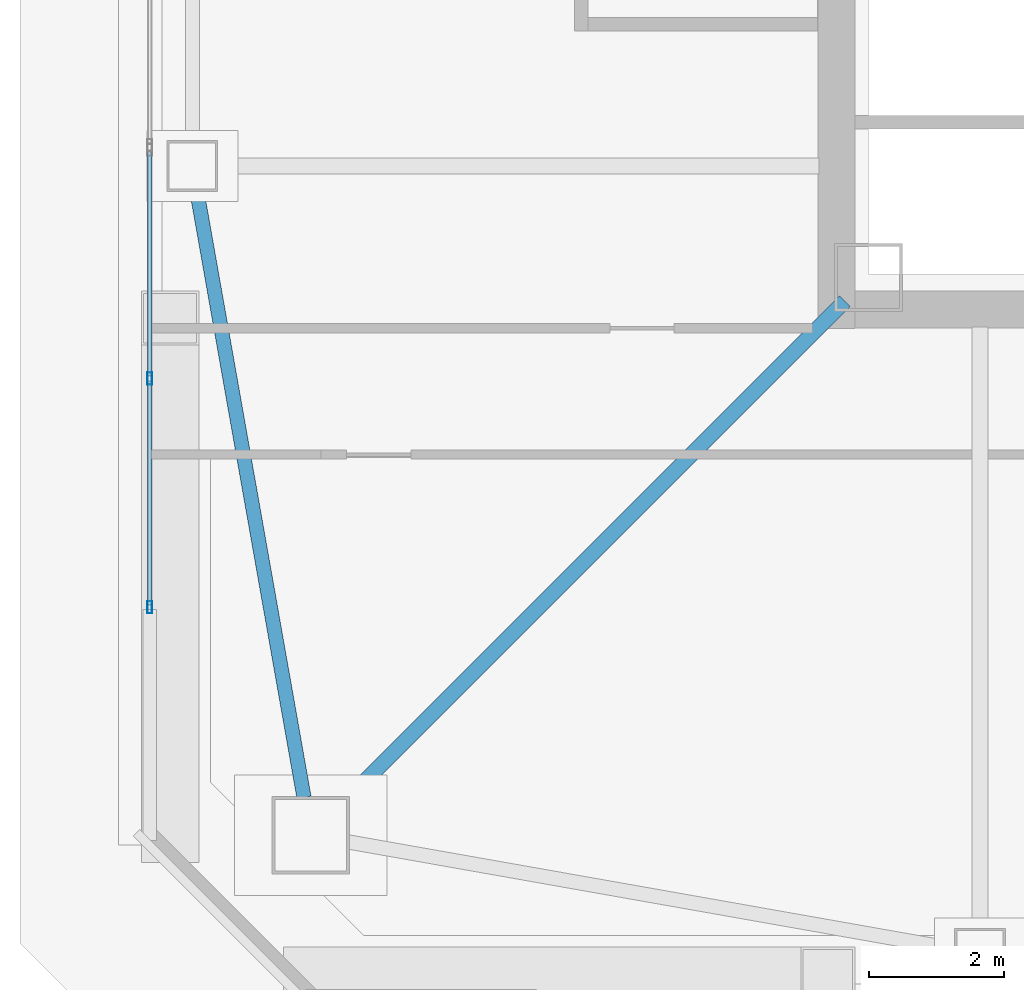
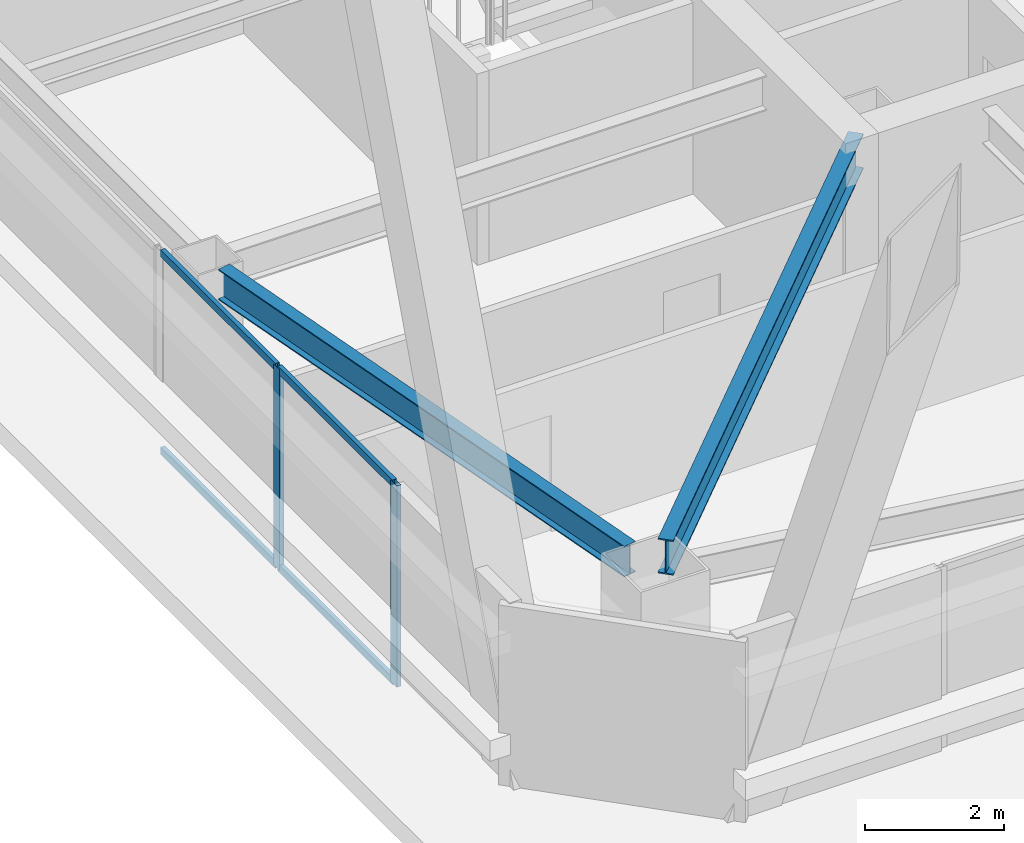
# One storey, part 7 of 65: 6 members, 2 beams, 1 element without a shape of its own.
"""IFC4 building model written with IfcOpenShell, lengths in metres."""

from ifc_helpers import new_model, si_unit, direction, frame, origin, origin_2d, place, context, subcontext, project, spatial, hollow_rectangle, i_section, extrude, material, material_profile, profile_set, type_object, element, aggregate, save


model = new_model("IFC4")

# Units and contexts
model_context = context("Model", 3, precision=1e-05, world=origin(), true_north=direction((0.0, 1.0)))
body_context = subcontext(model_context, "Body", "Model", "MODEL_VIEW")
ifc_project = project(units=[si_unit("LENGTHUNIT", "METRE"), si_unit("AREAUNIT", "SQUARE_METRE"), si_unit("VOLUMEUNIT", "CUBIC_METRE"), si_unit("PLANEANGLEUNIT", "RADIAN"), si_unit("MASSUNIT", "GRAM", prefix="KILO")], contexts=[model_context])

# Site, building, storey
site_placement = place(None, origin())
site = spatial("IfcSite", under=ifc_project, at=site_placement, CompositionType="ELEMENT")
building_placement = place(site_placement, origin())
building = spatial("IfcBuilding", under=site, at=building_placement, Name="Tashvorn Skyway Center", CompositionType="ELEMENT")
storey_placement = place(building_placement, frame((0.0, 0.0, 157.0)))
storey = spatial("IfcBuildingStorey", under=building, at=storey_placement, Name="L42", CompositionType="ELEMENT", Elevation=157.0)

# Beams
ifc_material_1 = material(Name="Steel ASTM A992 Grade 50", Category="steel")
ifc_material_profile_1 = material_profile(ifc_material_1, i_section(OverallWidth=0.22998046875, OverallDepth=0.616943359375, WebThickness=0.01318359375, FlangeThickness=0.022216796875, at=origin_2d()), Name="W24X94")
ifc_profile_set_1 = profile_set([ifc_material_profile_1], Name="Steel ASTM A992 Grade 50")
beam_type_1 = type_object("IfcBeamType", Name="BM-BEAM-W24X94", PredefinedType="BEAM", material=ifc_profile_set_1)
beam_1_placement = place(storey_placement, frame((27.10302734375, 17.10302734375, 3.0615234375), z_axis=(0.707106781187, 0.707106781187, 0.0), x_axis=(-0.707106781187, 0.707106781187, 0.0)))
element("IfcBeam", 1, at=beam_1_placement, inside=storey, type_object=beam_type_1, Name="Tower 1 L42 Primary Floor Girder MC-SW", PredefinedType="BEAM", context=body_context, shape_type="SweptSolid", body=[
    extrude(i_section(OverallWidth=0.22998046875, OverallDepth=0.616943359375, WebThickness=0.01318359375, FlangeThickness=0.022216796875, at=origin_2d()), origin(), (0.0, 0.0, 1.0), 10.6025390625),
])
ifc_material_profile_2 = material_profile(ifc_material_1, i_section(OverallWidth=0.2109375, OverallDepth=0.5390625, WebThickness=0.01171875, FlangeThickness=0.018798828125, at=origin_2d()), Name="W21X73")
ifc_profile_set_2 = profile_set([ifc_material_profile_2], Name="Steel ASTM A992 Grade 50")
beam_type_2 = type_object("IfcBeamType", Name="BM-SPANDREL-W21X73", PredefinedType="SPANDREL", material=ifc_profile_set_2)
beam_2_placement = place(storey_placement, frame((25.014404296875, 26.235595703125, 3.1005859375), z_axis=(0.174074160933, -0.984732545667, 0.0), x_axis=(0.984732545667, 0.174074160933, 0.0)))
element("IfcBeam", 2, at=beam_2_placement, inside=storey, type_object=beam_type_2, Name="Tower 1 L42 Spandrel Beam 12", PredefinedType="SPANDREL", context=body_context, shape_type="SweptSolid", body=[
    extrude(i_section(OverallWidth=0.2109375, OverallDepth=0.5390625, WebThickness=0.01171875, FlangeThickness=0.018798828125, at=origin_2d()), origin(), (0.0, 0.0, 1.0), 9.113525390625),
])

# Curtain wall, members
ifc_material_2 = material(Name="Thermally broken bronze-anodized aluminium 6063-T6", Category="aluminium")
curtain_wall_type = type_object("IfcCurtainWallType", Name="CW-CW-Z4", PredefinedType="NOTDEFINED", material=ifc_material_2)
curtain_wall_placement = place(storey_placement, origin())
curtain_wall = element("IfcCurtainWall", 3, at=curtain_wall_placement, inside=storey, type_object=curtain_wall_type, Name="Tower 1 L42 West Unitised Curtain Wall Glazing Group 1", PredefinedType="NOTDEFINED")
ifc_material_profile_3 = material_profile(ifc_material_2, hollow_rectangle(XDim=0.070068359375, YDim=0.179931640625, WallThickness=0.00390625, at=origin_2d()), Name="ALU-MULL-70x180")
ifc_profile_set_3 = profile_set([ifc_material_profile_3], Name="Thermally broken bronze-anodized aluminium 6063-T6")
member_type_1 = type_object("IfcMemberType", Name="CWM-CW-Z4", PredefinedType="MULLION", material=ifc_profile_set_3)
member_1_placement = place(storey_placement, frame((24.320068359375, 20.07275390625, 0.0), z_axis=(0.0, 0.0, 1.0), x_axis=(-1.0, 0.0, 0.0)))
member_1 = element("IfcMember", 4, at=member_1_placement, type_object=member_type_1, Name="CW-Z4 mullion 1", PredefinedType="MULLION", context=body_context, shape_type="SweptSolid", body=[
    extrude(hollow_rectangle(XDim=0.070068359375, YDim=0.179931640625, WallThickness=0.00390625, at=origin_2d()), origin(), (0.0, 0.0, 1.0), 3.550048828125),
])
member_2_placement = place(storey_placement, frame((24.320068359375, 23.45556640625, 0.0), z_axis=(0.0, 0.0, 1.0), x_axis=(-1.0, 0.0, 0.0)))
member_2 = element("IfcMember", 5, at=member_2_placement, type_object=member_type_1, Name="CW-Z4 mullion 2", PredefinedType="MULLION", context=body_context, shape_type="SweptSolid", body=[
    extrude(hollow_rectangle(XDim=0.070068359375, YDim=0.179931640625, WallThickness=0.00390625, at=origin_2d()), origin(), (0.0, 0.0, 1.0), 3.550048828125),
])
ifc_material_profile_4 = material_profile(ifc_material_2, hollow_rectangle(XDim=0.070068359375, YDim=0.1298828125, WallThickness=0.00390625, at=origin_2d()), Name="ALU-TRAN-70x130")
ifc_profile_set_4 = profile_set([ifc_material_profile_4], Name="Thermally broken bronze-anodized aluminium 6063-T6")
member_type_2 = type_object("IfcMemberType", Name="CWT-CW-Z4", PredefinedType="USERDEFINED", material=ifc_profile_set_4)
member_3_placement = place(storey_placement, frame((24.320068359375, 20.10791015625, 0.034912109375), z_axis=(0.0, 1.0, 0.0), x_axis=(-1.0, 0.0, 0.0)))
member_3 = element("IfcMember", 6, at=member_3_placement, type_object=member_type_2, Name="CW-Z4 transom 1.1", ObjectType="TRANSOM", PredefinedType="USERDEFINED", context=body_context, shape_type="SweptSolid", body=[
    extrude(hollow_rectangle(XDim=0.070068359375, YDim=0.1298828125, WallThickness=0.00390625, at=origin_2d()), origin(), (0.0, 0.0, 1.0), 3.312744140625),
])
member_4_placement = place(storey_placement, frame((24.320068359375, 20.10791015625, 3.514892578125), z_axis=(0.0, 1.0, 0.0), x_axis=(-1.0, 0.0, 0.0)))
member_4 = element("IfcMember", 7, at=member_4_placement, type_object=member_type_2, Name="CW-Z4 transom 1.2", ObjectType="TRANSOM", PredefinedType="USERDEFINED", context=body_context, shape_type="SweptSolid", body=[
    extrude(hollow_rectangle(XDim=0.070068359375, YDim=0.1298828125, WallThickness=0.00390625, at=origin_2d()), origin(), (0.0, 0.0, 1.0), 3.312744140625),
])
member_5_placement = place(storey_placement, frame((24.320068359375, 23.490478515625, 0.034912109375), z_axis=(0.0, 1.0, 0.0), x_axis=(-1.0, 0.0, 0.0)))
member_5 = element("IfcMember", 8, at=member_5_placement, type_object=member_type_2, Name="CW-Z4 transom 2.1", ObjectType="TRANSOM", PredefinedType="USERDEFINED", context=body_context, shape_type="SweptSolid", body=[
    extrude(hollow_rectangle(XDim=0.070068359375, YDim=0.1298828125, WallThickness=0.00390625, at=origin_2d()), origin(), (0.0, 0.0, 1.0), 3.312744140625),
])
member_6_placement = place(storey_placement, frame((24.320068359375, 23.490478515625, 3.514892578125), z_axis=(0.0, 1.0, 0.0), x_axis=(-1.0, 0.0, 0.0)))
member_6 = element("IfcMember", 9, at=member_6_placement, type_object=member_type_2, Name="CW-Z4 transom 2.2", ObjectType="TRANSOM", PredefinedType="USERDEFINED", context=body_context, shape_type="SweptSolid", body=[
    extrude(hollow_rectangle(XDim=0.070068359375, YDim=0.1298828125, WallThickness=0.00390625, at=origin_2d()), origin(), (0.0, 0.0, 1.0), 3.312744140625),
])
aggregate(curtain_wall, [member_1, member_2, member_3, member_4, member_5, member_6])

save(model, "model.ifc")
